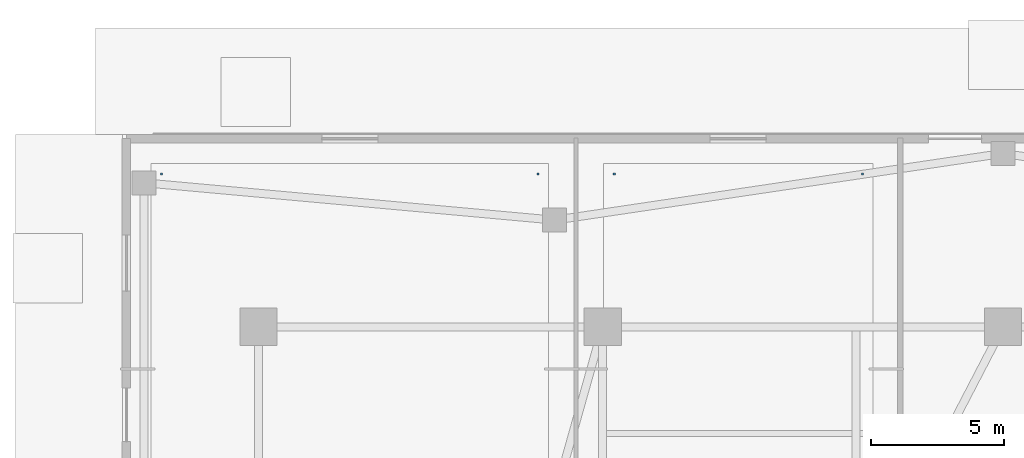
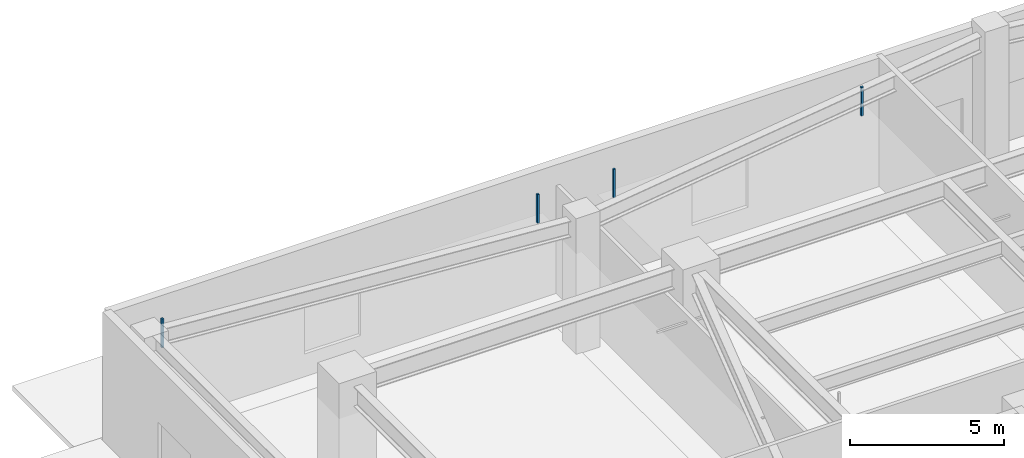
# One storey, part 11 of 18: 4 discrete accessories.
"""IFC4 building model written with IfcOpenShell, lengths in metres."""

from ifc_helpers import new_model, si_unit, direction, frame, origin, origin_2d, place, context, subcontext, project, spatial, rectangle, extrude, material, type_object, element, save


model = new_model("IFC4")

# Units and contexts
model_context = context("Model", 3, precision=1e-05, world=origin(), true_north=direction((0.0, 1.0)))
body_context = subcontext(model_context, "Body", "Model", "MODEL_VIEW")
ifc_project = project(units=[si_unit("LENGTHUNIT", "METRE"), si_unit("AREAUNIT", "SQUARE_METRE"), si_unit("VOLUMEUNIT", "CUBIC_METRE"), si_unit("PLANEANGLEUNIT", "RADIAN"), si_unit("MASSUNIT", "GRAM", prefix="KILO")], contexts=[model_context])

# Site, building, storey
site_placement = place(None, origin())
site = spatial("IfcSite", under=ifc_project, at=site_placement, CompositionType="ELEMENT")
building_placement = place(site_placement, origin())
building = spatial("IfcBuilding", under=site, at=building_placement, Name="Tarnavaz Court Tower", CompositionType="ELEMENT")
storey_placement = place(building_placement, origin())
storey = spatial("IfcBuildingStorey", under=building, at=storey_placement, Name="L00", CompositionType="ELEMENT", Elevation=0.0)

# Discrete accessories
ifc_material = material(Name="Anodised Aluminium 6063-T6", Category="aluminium")
discrete_accessory_type = type_object("IfcDiscreteAccessoryType", Name="DA-BRKT-ALU", PredefinedType="BRACKET", material=ifc_material)
for number, where, z_axis, x_axis, name in (
    (1, (-17.429931640625, 28.530029296875, 3.990234375), (0.0, 0.0, 1.0), (1.0, 0.0, 0.0), "L00 Ceiling Suspension Hanger Bracket 01-3"),
    (2, (-31.530029296875, 28.530029296875, 3.990234375), (0.0, 0.0, 1.0), (1.0, 0.0, 0.0), "L00 Ceiling Suspension Hanger Bracket 01-4"),
    (3, (-5.27001953125, 28.530029296875, 3.990234375), (0.0, 0.0, 1.0), (1.0, 0.0, 0.0), "L00 Ceiling Suspension Hanger Bracket 02-3"),
    (4, (-14.570068359375, 28.530029296875, 3.990234375), (0.0, 0.0, 1.0), (1.0, 0.0, 0.0), "L00 Ceiling Suspension Hanger Bracket 02-4"),
):
    element("IfcDiscreteAccessory", number, at=place(storey_placement, frame(where, z_axis=z_axis, x_axis=x_axis)), inside=storey, type_object=discrete_accessory_type, Name=name, PredefinedType="BRACKET", context=body_context, shape_type="SweptSolid", body=[
        extrude(rectangle(XDim=0.080078125, YDim=0.080078125, at=origin_2d()), origin(), (0.0, 0.0, 1.0), 1.139892578125),
    ])

save(model, "model.ifc")
